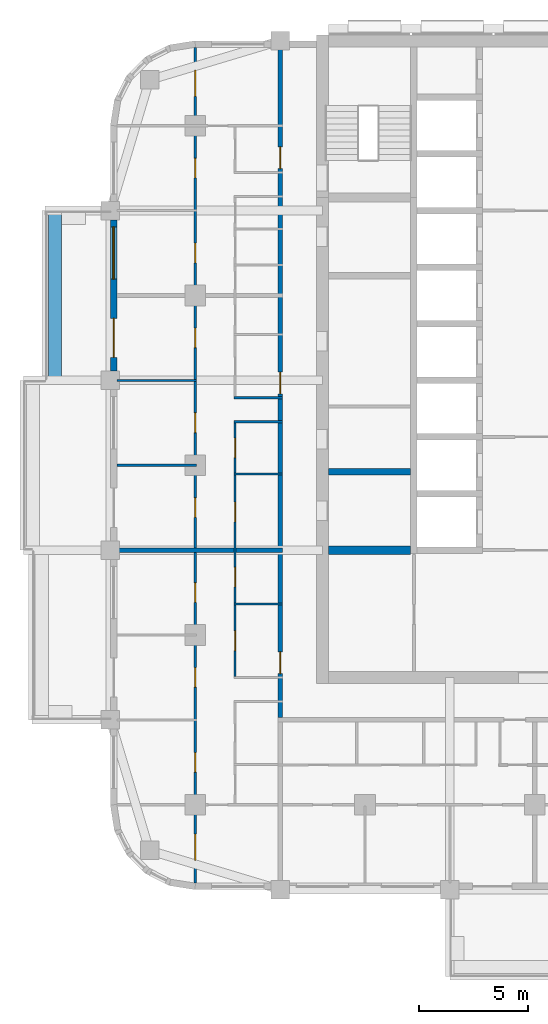
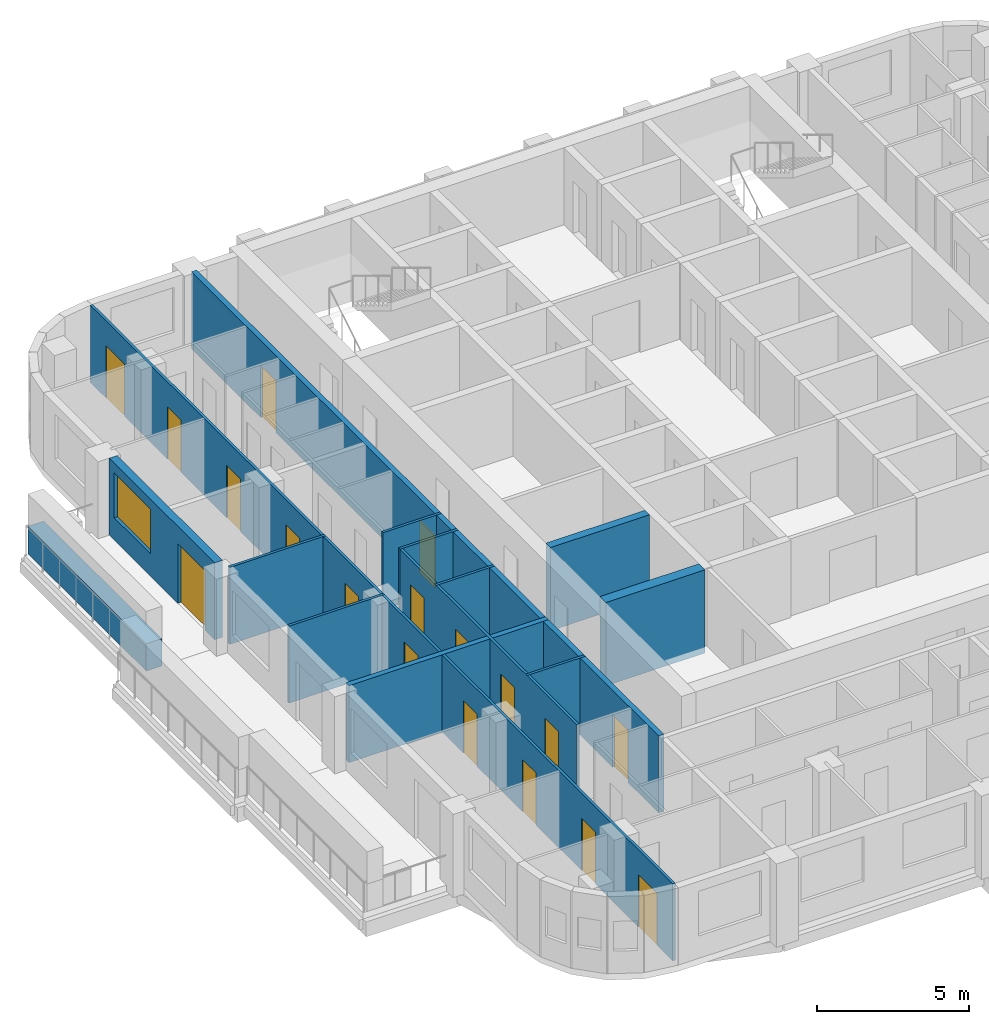
# One storey, part 4 of 14: 18 doors, 14 walls, 1 window, 19 openings.
"""IFC4 building model written with IfcOpenShell, lengths in metres."""

from ifc_helpers import new_model, si_unit, direction, frame, frame_2d, origin, place, context, subcontext, project, spatial, rectangle, extrude, material, layer, layer_set, type_object, element, fill, save


model = new_model("IFC4")

# Units and contexts
model_context = context("Model", 3, precision=1e-05, world=origin(), true_north=direction((0.0, 1.0)))
body_context = subcontext(model_context, "Body", "Model", "MODEL_VIEW")
ifc_project = project(units=[si_unit("LENGTHUNIT", "METRE"), si_unit("AREAUNIT", "SQUARE_METRE"), si_unit("VOLUMEUNIT", "CUBIC_METRE"), si_unit("PLANEANGLEUNIT", "RADIAN"), si_unit("MASSUNIT", "GRAM", prefix="KILO")], contexts=[model_context])

# Site, building, storey
site_placement = place(None, origin())
site = spatial("IfcSite", under=ifc_project, at=site_placement, CompositionType="ELEMENT")
building_placement = place(site_placement, origin())
building = spatial("IfcBuilding", under=site, at=building_placement, Name="Ludao Terraces", CompositionType="ELEMENT")
storey_placement = place(building_placement, frame((0.0, 0.0, 113.5)))
storey = spatial("IfcBuildingStorey", under=building, at=storey_placement, Name="L31", CompositionType="ELEMENT", Elevation=113.5)

# Wall
ifc_material_1 = material(Name="Concrete C40", Category="concrete")
ifc_layer_1 = layer(ifc_material_1, 0.60009765625)
ifc_layer_set_1 = layer_set([ifc_layer_1], Name="ENV Planter trough 600")
wall_type_1 = type_object("IfcWallType", Name="ENV Planter trough 600", PredefinedType="USERDEFINED", material=ifc_layer_set_1)
wall_1_placement = place(storey_placement, frame((62.949951171875, 68.89990234375, 0.0), z_axis=(0.0, 0.0, 1.0), x_axis=(0.0, 1.0, 0.0)))
element("IfcWall", 1, at=wall_1_placement, inside=storey, type_object=wall_type_1, Name="PL-L31-W3", ObjectType="PLANTER", PredefinedType="USERDEFINED", context=body_context, shape_type="SweptSolid", body=[
    extrude(rectangle(XDim=7.800048828125, YDim=0.60009765625, at=frame_2d((3.89990234375, 0.0))), origin(), (0.0, 0.0, 1.0), 1.10009765625),
])

# Wall, openings, door, window
ifc_material_2 = material(Name="Granite cladding", Category="masonry")
ifc_layer_2 = layer(ifc_material_2, 0.0400390625, Category="stone")
ifc_material_3 = material(Name="Mineral wool")
ifc_layer_3 = layer(ifc_material_3, 0.06005859375)
ifc_layer_4 = layer(ifc_material_1, 0.199951171875, Category="concrete")
ifc_layer_set_2 = layer_set([ifc_layer_2, ifc_layer_3, ifc_layer_4], Name="ENV Stone-clad wall 300")
wall_type_2 = type_object("IfcWallType", Name="ENV Stone-clad wall 300", PredefinedType="SOLIDWALL", material=ifc_layer_set_2)
wall_2_placement = place(storey_placement, frame((65.64990234375, 69.324951171875, 0.0), z_axis=(0.0, 0.0, 1.0), x_axis=(0.0, 1.0, 0.0)))
wall_2 = element("IfcWall", 2, at=wall_2_placement, inside=storey, type_object=wall_type_2, Name="EW-L31-W4", PredefinedType="SOLIDWALL", context=body_context, shape_type="SweptSolid", body=[
    extrude(rectangle(XDim=6.949951171875, YDim=0.300048828125, at=frame_2d((3.47509765625, 0.0))), origin(), (0.0, 0.0, 1.0), 3.10009765625),
])
opening_1_placement = place(wall_2_placement, frame((0.625, 0.0, 0.0)))
opening_1 = element("IfcOpeningElement", 3, at=opening_1_placement, cuts=wall_2, Name="Opening BD", PredefinedType="OPENING", context=body_context, shape_type="SweptSolid", body=[
    extrude(rectangle(XDim=1.800048828125, YDim=2.39990234375, at=frame_2d((0.89990234375, 1.199951171875))), frame((0.0, 0.16015625, 0.0), z_axis=(0.0, -1.0, 0.0), x_axis=(1.0, 0.0, 0.0)), (0.0, 0.0, 1.0), 0.320068359375),
])
opening_2_placement = place(wall_2_placement, frame((4.22509765625, 0.0, 0.89990234375)))
opening_2 = element("IfcOpeningElement", 4, at=opening_2_placement, cuts=wall_2, Name="Opening W1", PredefinedType="OPENING", context=body_context, shape_type="SweptSolid", body=[
    extrude(rectangle(XDim=2.39990234375, YDim=1.800048828125, at=frame_2d((1.199951171875, 0.89990234375))), frame((0.0, 0.16015625, 0.0), z_axis=(0.0, -1.0, 0.0), x_axis=(1.0, 0.0, 0.0)), (0.0, 0.0, 1.0), 0.320068359375),
])
ifc_material_4 = material(Name="Aluminium glazed door", Category="aluminium")
ifc_layer_5 = layer(ifc_material_4, 0.06005859375)
ifc_layer_set_3 = layer_set([ifc_layer_5], Name="ENV Balcony door BD 1800x2400")
door_type_1 = type_object("IfcDoorType", Name="ENV Balcony door BD 1800x2400", OperationType="DOUBLE_DOOR_SINGLE_SWING", PredefinedType="DOOR", material=ifc_layer_set_3)
door_1_placement = place(opening_1_placement, origin())
door_1 = element("IfcDoor", 5, at=door_1_placement, inside=storey, type_object=door_type_1, Name="BD-L31-W4-1", OperationType="DOUBLE_DOOR_SINGLE_SWING", OverallHeight=2.39990234375, OverallWidth=1.800048828125, PredefinedType="DOOR", context=body_context, shape_type="SweptSolid", body=[
    extrude(rectangle(XDim=1.800048828125, YDim=2.39990234375, at=frame_2d((0.89990234375, 1.199951171875))), frame((0.0, 0.02490234375, 0.0), z_axis=(0.0, -1.0, 0.0), x_axis=(1.0, 0.0, 0.0)), (0.0, 0.0, 1.0), 0.050048828125),
])
fill(opening_1, door_1)
ifc_material_5 = material(Name="Clear glass in aluminium frame", Category="aluminium")
ifc_layer_6 = layer(ifc_material_5, 0.06005859375)
ifc_layer_set_4 = layer_set([ifc_layer_6], Name="ENV Window W1 2400x1800")
window_type = type_object("IfcWindowType", Name="ENV Window W1 2400x1800", PartitioningType="DOUBLE_PANEL_VERTICAL", PredefinedType="WINDOW", material=ifc_layer_set_4)
window_placement = place(opening_2_placement, origin())
window = element("IfcWindow", 6, at=window_placement, inside=storey, type_object=window_type, Name="W-L31-W4-2", OverallHeight=1.800048828125, OverallWidth=2.39990234375, PartitioningType="DOUBLE_PANEL_VERTICAL", PredefinedType="WINDOW", context=body_context, shape_type="SweptSolid", body=[
    extrude(rectangle(XDim=2.39990234375, YDim=1.800048828125, at=frame_2d((1.199951171875, 0.89990234375))), frame((0.0, 0.030029296875, 0.0), z_axis=(0.0, -1.0, 0.0), x_axis=(1.0, 0.0, 0.0)), (0.0, 0.0, 1.0), 0.06005859375),
])
fill(opening_2, window)

# Wall, openings, doors
ifc_material_6 = material(Name="Autoclaved aerated concrete block B06 A3.5", Category="concrete")
ifc_layer_7 = layer(ifc_material_6, 0.199951171875)
ifc_layer_set_5 = layer_set([ifc_layer_7], Name="INT Entrance wall 200")
wall_type_3 = type_object("IfcWallType", Name="INT Entrance wall 200", PredefinedType="PARTITIONING", material=ifc_layer_set_5)
wall_3_placement = place(storey_placement, frame((73.300048828125, 53.400146484375, 0.0), z_axis=(0.0, 0.0, 1.0), x_axis=(0.0, 1.0, 0.0)))
wall_3 = element("IfcWall", 7, at=wall_3_placement, inside=storey, type_object=wall_type_3, Name="PW-L31-PW056", PredefinedType="PARTITIONING", context=body_context, shape_type="SweptSolid", body=[
    extrude(rectangle(XDim=30.800048828125, YDim=0.199951171875, at=frame_2d((15.39990234375, 0.0))), origin(), (0.0, 0.0, 1.0), 3.10009765625),
])
opening_3_placement = place(wall_3_placement, frame((2.02490234375, 0.0, 0.0)))
opening_3 = element("IfcOpeningElement", 8, at=opening_3_placement, cuts=wall_3, Name="Opening R09-030", PredefinedType="OPENING", context=body_context, shape_type="SweptSolid", body=[
    extrude(rectangle(XDim=1.0, YDim=2.10009765625, at=frame_2d((0.5, 1.050048828125))), frame((0.0, 0.10986328125, 0.0), z_axis=(0.0, -1.0, 0.0), x_axis=(1.0, 0.0, 0.0)), (0.0, 0.0, 1.0), 0.219970703125),
])
opening_4_placement = place(wall_3_placement, frame((14.875, 0.0, 0.0)))
opening_4 = element("IfcOpeningElement", 9, at=opening_4_placement, cuts=wall_3, Name="Opening R09-059", PredefinedType="OPENING", context=body_context, shape_type="SweptSolid", body=[
    extrude(rectangle(XDim=1.0, YDim=2.10009765625, at=frame_2d((0.5, 1.050048828125))), frame((0.0, 0.10986328125, 0.0), z_axis=(0.0, -1.0, 0.0), x_axis=(1.0, 0.0, 0.0)), (0.0, 0.0, 1.0), 0.219970703125),
])
opening_5_placement = place(wall_3_placement, frame((25.22509765625, 0.0, 0.0)))
opening_5 = element("IfcOpeningElement", 10, at=opening_5_placement, cuts=wall_3, Name="Opening R09-091", PredefinedType="OPENING", context=body_context, shape_type="SweptSolid", body=[
    extrude(rectangle(XDim=1.0, YDim=2.10009765625, at=frame_2d((0.5, 1.050048828125))), frame((0.0, 0.10986328125, 0.0), z_axis=(0.0, -1.0, 0.0), x_axis=(1.0, 0.0, 0.0)), (0.0, 0.0, 1.0), 0.219970703125),
])
ifc_material_7 = material(Name="Steel Q235", Category="steel")
door_type_2 = type_object("IfcDoorType", Name="INT Flat entrance door 1000", OperationType="SINGLE_SWING_LEFT", PredefinedType="DOOR", material=ifc_material_7)
door_2_placement = place(opening_3_placement, origin())
door_2 = element("IfcDoor", 11, at=door_2_placement, inside=storey, type_object=door_type_2, Name="DOOR 030", OperationType="SINGLE_SWING_RIGHT", OverallHeight=2.10009765625, OverallWidth=1.0, PredefinedType="DOOR", context=body_context, shape_type="SweptSolid", body=[
    extrude(rectangle(XDim=1.0, YDim=2.10009765625, at=frame_2d((0.5, 1.050048828125))), frame((0.0, 0.02490234375, 0.0), z_axis=(0.0, -1.0, 0.0), x_axis=(1.0, 0.0, 0.0)), (0.0, 0.0, 1.0), 0.050048828125),
])
fill(opening_3, door_2)
door_3_placement = place(opening_4_placement, origin())
door_3 = element("IfcDoor", 12, at=door_3_placement, inside=storey, type_object=door_type_2, Name="DOOR 059", OperationType="SINGLE_SWING_RIGHT", OverallHeight=2.10009765625, OverallWidth=1.0, PredefinedType="DOOR", context=body_context, shape_type="SweptSolid", body=[
    extrude(rectangle(XDim=1.0, YDim=2.10009765625, at=frame_2d((0.5, 1.050048828125))), frame((0.0, 0.02490234375, 0.0), z_axis=(0.0, -1.0, 0.0), x_axis=(1.0, 0.0, 0.0)), (0.0, 0.0, 1.0), 0.050048828125),
])
fill(opening_4, door_3)
door_4_placement = place(opening_5_placement, origin())
door_4 = element("IfcDoor", 13, at=door_4_placement, inside=storey, type_object=door_type_2, Name="DOOR 091", OperationType="SINGLE_SWING_RIGHT", OverallHeight=2.10009765625, OverallWidth=1.0, PredefinedType="DOOR", context=body_context, shape_type="SweptSolid", body=[
    extrude(rectangle(XDim=1.0, YDim=2.10009765625, at=frame_2d((0.5, 1.050048828125))), frame((0.0, 0.02490234375, 0.0), z_axis=(0.0, -1.0, 0.0), x_axis=(1.0, 0.0, 0.0)), (0.0, 0.0, 1.0), 0.050048828125),
])
fill(opening_5, door_4)

# Walls
ifc_material_8 = material(Name="Gypsum plasterboard", Category="gypsum")
ifc_layer_8 = layer(ifc_material_8, 0.012451171875, Category="gypsum")
ifc_layer_9 = layer(ifc_material_3, 0.06005859375, Name="insulation")
ifc_layer_10 = layer(ifc_material_7, 0.014892578125, Name="stud")
ifc_layer_11 = layer(ifc_material_8, 0.012451171875, Category="gypsum")
ifc_layer_set_6 = layer_set([ifc_layer_8, ifc_layer_9, ifc_layer_10, ifc_layer_11], Name="INT Partition 100")
wall_type_4 = type_object("IfcWallType", Name="INT Partition 100", PredefinedType="PARTITIONING", material=ifc_layer_set_6)
for number, where, z_axis, x_axis, name in (
    (14, (71.18017578125, 58.6201171875, 0.0), (0.0, 0.0, 1.0), (1.0, 0.0, 0.0), "PW-L31-PW015"),
    (15, (71.18017578125, 64.60009765625, 0.0), (0.0, 0.0, 1.0), (1.0, 0.0, 0.0), "PW-L31-PW021"),
):
    element("IfcWall", number, at=place(storey_placement, frame(where, z_axis=z_axis, x_axis=x_axis)), inside=storey, type_object=wall_type_4, Name=name, PredefinedType="PARTITIONING", context=body_context, shape_type="SweptSolid", body=[
        extrude(rectangle(XDim=2.219970703125, YDim=0.10009765625, at=frame_2d((1.10986328125, 0.0))), origin(), (0.0, 0.0, 1.0), 3.10009765625),
    ])
wall_4_placement = place(storey_placement, frame((65.800048828125, 65.0, 0.0), z_axis=(0.0, 0.0, 1.0), x_axis=(1.0, 0.0, 0.0)))
element("IfcWall", 16, at=wall_4_placement, inside=storey, type_object=wall_type_4, Name="PW-L31-PW022", PredefinedType="PARTITIONING", context=body_context, shape_type="SweptSolid", body=[
    extrude(rectangle(XDim=3.650146484375, YDim=0.10009765625, at=frame_2d((1.8251953125, 0.0))), origin(), (0.0, 0.0, 1.0), 3.10009765625),
])
for number, where, z_axis, x_axis, name in (
    (17, (71.18017578125, 67.0, 0.0), (0.0, 0.0, 1.0), (1.0, 0.0, 0.0), "PW-L31-PW026"),
    (18, (71.18017578125, 68.10009765625, 0.0), (0.0, 0.0, 1.0), (1.0, 0.0, 0.0), "PW-L31-PW030"),
):
    element("IfcWall", number, at=place(storey_placement, frame(where, z_axis=z_axis, x_axis=x_axis)), inside=storey, type_object=wall_type_4, Name=name, PredefinedType="PARTITIONING", context=body_context, shape_type="SweptSolid", body=[
        extrude(rectangle(XDim=2.219970703125, YDim=0.10009765625, at=frame_2d((1.10986328125, 0.0))), origin(), (0.0, 0.0, 1.0), 3.10009765625),
    ])
wall_5_placement = place(storey_placement, frame((65.800048828125, 68.89990234375, 0.0), z_axis=(0.0, 0.0, 1.0), x_axis=(1.0, 0.0, 0.0)))
element("IfcWall", 19, at=wall_5_placement, inside=storey, type_object=wall_type_4, Name="PW-L31-PW031", PredefinedType="PARTITIONING", context=body_context, shape_type="SweptSolid", body=[
    extrude(rectangle(XDim=3.650146484375, YDim=0.10009765625, at=frame_2d((1.8251953125, 0.0))), origin(), (0.0, 0.0, 1.0), 3.10009765625),
])

# Wall, openings, doors
wall_6_placement = place(storey_placement, frame((69.39990234375, 45.800048828125, 0.0), z_axis=(0.0, 0.0, 1.0), x_axis=(0.0, 1.0, 0.0)))
wall_6 = element("IfcWall", 20, at=wall_6_placement, inside=storey, type_object=wall_type_4, Name="PW-L31-PW050", PredefinedType="PARTITIONING", context=body_context, shape_type="SweptSolid", body=[
    extrude(rectangle(XDim=38.400146484375, YDim=0.10009765625, at=frame_2d((19.2001953125, 0.0))), origin(), (0.0, 0.0, 1.0), 3.10009765625),
])
opening_6_placement = place(wall_6_placement, frame((1.050048828125, 0.0, 0.0)))
opening_6 = element("IfcOpeningElement", 21, at=opening_6_placement, cuts=wall_6, Name="Opening R09-001", PredefinedType="OPENING", context=body_context, shape_type="SweptSolid", body=[
    extrude(rectangle(XDim=1.199951171875, YDim=2.10009765625, at=frame_2d((0.60009765625, 1.050048828125))), frame((0.0, 0.06005859375, 0.0), z_axis=(0.0, -1.0, 0.0), x_axis=(1.0, 0.0, 0.0)), (0.0, 0.0, 1.0), 0.1201171875),
])
opening_7_placement = place(wall_6_placement, frame((5.10009765625, 0.0, 0.0)))
opening_7 = element("IfcOpeningElement", 22, at=opening_7_placement, cuts=wall_6, Name="Opening R09-021", PredefinedType="OPENING", context=body_context, shape_type="SweptSolid", body=[
    extrude(rectangle(XDim=0.89990234375, YDim=2.10009765625, at=frame_2d((0.449951171875, 1.050048828125))), frame((0.0, 0.06005859375, 0.0), z_axis=(0.0, -1.0, 0.0), x_axis=(1.0, 0.0, 0.0)), (0.0, 0.0, 1.0), 0.1201171875),
])
opening_8_placement = place(wall_6_placement, frame((9.0, 0.0, 0.0)))
opening_8 = element("IfcOpeningElement", 23, at=opening_8_placement, cuts=wall_6, Name="Opening R09-028", PredefinedType="OPENING", context=body_context, shape_type="SweptSolid", body=[
    extrude(rectangle(XDim=0.89990234375, YDim=2.10009765625, at=frame_2d((0.449951171875, 1.050048828125))), frame((0.0, 0.06005859375, 0.0), z_axis=(0.0, -1.0, 0.0), x_axis=(1.0, 0.0, 0.0)), (0.0, 0.0, 1.0), 0.1201171875),
])
opening_9_placement = place(wall_6_placement, frame((12.89990234375, 0.0, 0.0)))
opening_9 = element("IfcOpeningElement", 24, at=opening_9_placement, cuts=wall_6, Name="Opening R09-038", PredefinedType="OPENING", context=body_context, shape_type="SweptSolid", body=[
    extrude(rectangle(XDim=0.89990234375, YDim=2.10009765625, at=frame_2d((0.449951171875, 1.050048828125))), frame((0.0, 0.06005859375, 0.0), z_axis=(0.0, -1.0, 0.0), x_axis=(1.0, 0.0, 0.0)), (0.0, 0.0, 1.0), 0.1201171875),
])
opening_10_placement = place(wall_6_placement, frame((16.800048828125, 0.0, 0.0)))
opening_10 = element("IfcOpeningElement", 25, at=opening_10_placement, cuts=wall_6, Name="Opening R09-046", PredefinedType="OPENING", context=body_context, shape_type="SweptSolid", body=[
    extrude(rectangle(XDim=0.89990234375, YDim=2.10009765625, at=frame_2d((0.449951171875, 1.050048828125))), frame((0.0, 0.06005859375, 0.0), z_axis=(0.0, -1.0, 0.0), x_axis=(1.0, 0.0, 0.0)), (0.0, 0.0, 1.0), 0.1201171875),
])
opening_11_placement = place(wall_6_placement, frame((20.699951171875, 0.0, 0.0)))
opening_11 = element("IfcOpeningElement", 26, at=opening_11_placement, cuts=wall_6, Name="Opening R09-055", PredefinedType="OPENING", context=body_context, shape_type="SweptSolid", body=[
    extrude(rectangle(XDim=0.89990234375, YDim=2.10009765625, at=frame_2d((0.449951171875, 1.050048828125))), frame((0.0, 0.06005859375, 0.0), z_axis=(0.0, -1.0, 0.0), x_axis=(1.0, 0.0, 0.0)), (0.0, 0.0, 1.0), 0.1201171875),
])
opening_12_placement = place(wall_6_placement, frame((24.60009765625, 0.0, 0.0)))
opening_12 = element("IfcOpeningElement", 27, at=opening_12_placement, cuts=wall_6, Name="Opening R09-065", PredefinedType="OPENING", context=body_context, shape_type="SweptSolid", body=[
    extrude(rectangle(XDim=0.89990234375, YDim=2.10009765625, at=frame_2d((0.449951171875, 1.050048828125))), frame((0.0, 0.06005859375, 0.0), z_axis=(0.0, -1.0, 0.0), x_axis=(1.0, 0.0, 0.0)), (0.0, 0.0, 1.0), 0.1201171875),
])
opening_13_placement = place(wall_6_placement, frame((28.5, 0.0, 0.0)))
opening_13 = element("IfcOpeningElement", 28, at=opening_13_placement, cuts=wall_6, Name="Opening R09-074", PredefinedType="OPENING", context=body_context, shape_type="SweptSolid", body=[
    extrude(rectangle(XDim=0.89990234375, YDim=2.10009765625, at=frame_2d((0.449951171875, 1.050048828125))), frame((0.0, 0.06005859375, 0.0), z_axis=(0.0, -1.0, 0.0), x_axis=(1.0, 0.0, 0.0)), (0.0, 0.0, 1.0), 0.1201171875),
])
opening_14_placement = place(wall_6_placement, frame((32.39990234375, 0.0, 0.0)))
opening_14 = element("IfcOpeningElement", 29, at=opening_14_placement, cuts=wall_6, Name="Opening R09-089", PredefinedType="OPENING", context=body_context, shape_type="SweptSolid", body=[
    extrude(rectangle(XDim=0.89990234375, YDim=2.10009765625, at=frame_2d((0.449951171875, 1.050048828125))), frame((0.0, 0.06005859375, 0.0), z_axis=(0.0, -1.0, 0.0), x_axis=(1.0, 0.0, 0.0)), (0.0, 0.0, 1.0), 0.1201171875),
])
opening_15_placement = place(wall_6_placement, frame((36.14990234375, 0.0, 0.0)))
opening_15 = element("IfcOpeningElement", 30, at=opening_15_placement, cuts=wall_6, Name="Opening R09-098", PredefinedType="OPENING", context=body_context, shape_type="SweptSolid", body=[
    extrude(rectangle(XDim=1.199951171875, YDim=2.10009765625, at=frame_2d((0.60009765625, 1.050048828125))), frame((0.0, 0.06005859375, 0.0), z_axis=(0.0, -1.0, 0.0), x_axis=(1.0, 0.0, 0.0)), (0.0, 0.0, 1.0), 0.1201171875),
])
ifc_material_9 = material(Name="Timber door leaf", Category="wood")
door_type_3 = type_object("IfcDoorType", Name="INT Double door 1200", OperationType="DOUBLE_DOOR_SINGLE_SWING", PredefinedType="DOOR", material=ifc_material_9)
door_5_placement = place(opening_6_placement, origin())
door_5 = element("IfcDoor", 31, at=door_5_placement, inside=storey, type_object=door_type_3, Name="DOOR 001", OperationType="DOUBLE_DOOR_SINGLE_SWING", OverallHeight=2.10009765625, OverallWidth=1.199951171875, PredefinedType="DOOR", context=body_context, shape_type="SweptSolid", body=[
    extrude(rectangle(XDim=1.199951171875, YDim=2.10009765625, at=frame_2d((0.60009765625, 1.050048828125))), frame((0.0, 0.02490234375, 0.0), z_axis=(0.0, -1.0, 0.0), x_axis=(1.0, 0.0, 0.0)), (0.0, 0.0, 1.0), 0.050048828125),
])
fill(opening_6, door_5)
door_6_placement = place(opening_15_placement, origin())
door_6 = element("IfcDoor", 32, at=door_6_placement, inside=storey, type_object=door_type_3, Name="DOOR 098", OperationType="DOUBLE_DOOR_SINGLE_SWING", OverallHeight=2.10009765625, OverallWidth=1.199951171875, PredefinedType="DOOR", context=body_context, shape_type="SweptSolid", body=[
    extrude(rectangle(XDim=1.199951171875, YDim=2.10009765625, at=frame_2d((0.60009765625, 1.050048828125))), frame((0.0, 0.02490234375, 0.0), z_axis=(0.0, -1.0, 0.0), x_axis=(1.0, 0.0, 0.0)), (0.0, 0.0, 1.0), 0.050048828125),
])
fill(opening_15, door_6)
door_type_4 = type_object("IfcDoorType", Name="INT Room door 900", OperationType="SINGLE_SWING_LEFT", PredefinedType="DOOR", material=ifc_material_9)
door_7_placement = place(opening_7_placement, origin())
door_7 = element("IfcDoor", 33, at=door_7_placement, inside=storey, type_object=door_type_4, Name="DOOR 021", OperationType="SINGLE_SWING_LEFT", OverallHeight=2.10009765625, OverallWidth=0.89990234375, PredefinedType="DOOR", context=body_context, shape_type="SweptSolid", body=[
    extrude(rectangle(XDim=0.89990234375, YDim=2.10009765625, at=frame_2d((0.449951171875, 1.050048828125))), frame((0.0, 0.02490234375, 0.0), z_axis=(0.0, -1.0, 0.0), x_axis=(1.0, 0.0, 0.0)), (0.0, 0.0, 1.0), 0.050048828125),
])
fill(opening_7, door_7)
door_8_placement = place(opening_8_placement, origin())
door_8 = element("IfcDoor", 34, at=door_8_placement, inside=storey, type_object=door_type_4, Name="DOOR 028", OperationType="SINGLE_SWING_LEFT", OverallHeight=2.10009765625, OverallWidth=0.89990234375, PredefinedType="DOOR", context=body_context, shape_type="SweptSolid", body=[
    extrude(rectangle(XDim=0.89990234375, YDim=2.10009765625, at=frame_2d((0.449951171875, 1.050048828125))), frame((0.0, 0.02490234375, 0.0), z_axis=(0.0, -1.0, 0.0), x_axis=(1.0, 0.0, 0.0)), (0.0, 0.0, 1.0), 0.050048828125),
])
fill(opening_8, door_8)
door_9_placement = place(opening_9_placement, origin())
door_9 = element("IfcDoor", 35, at=door_9_placement, inside=storey, type_object=door_type_4, Name="DOOR 038", OperationType="SINGLE_SWING_LEFT", OverallHeight=2.10009765625, OverallWidth=0.89990234375, PredefinedType="DOOR", context=body_context, shape_type="SweptSolid", body=[
    extrude(rectangle(XDim=0.89990234375, YDim=2.10009765625, at=frame_2d((0.449951171875, 1.050048828125))), frame((0.0, 0.02490234375, 0.0), z_axis=(0.0, -1.0, 0.0), x_axis=(1.0, 0.0, 0.0)), (0.0, 0.0, 1.0), 0.050048828125),
])
fill(opening_9, door_9)
door_10_placement = place(opening_10_placement, origin())
door_10 = element("IfcDoor", 36, at=door_10_placement, inside=storey, type_object=door_type_4, Name="DOOR 046", OperationType="SINGLE_SWING_RIGHT", OverallHeight=2.10009765625, OverallWidth=0.89990234375, PredefinedType="DOOR", context=body_context, shape_type="SweptSolid", body=[
    extrude(rectangle(XDim=0.89990234375, YDim=2.10009765625, at=frame_2d((0.449951171875, 1.050048828125))), frame((0.0, 0.02490234375, 0.0), z_axis=(0.0, -1.0, 0.0), x_axis=(1.0, 0.0, 0.0)), (0.0, 0.0, 1.0), 0.050048828125),
])
fill(opening_10, door_10)
door_11_placement = place(opening_11_placement, origin())
door_11 = element("IfcDoor", 37, at=door_11_placement, inside=storey, type_object=door_type_4, Name="DOOR 055", OperationType="SINGLE_SWING_RIGHT", OverallHeight=2.10009765625, OverallWidth=0.89990234375, PredefinedType="DOOR", context=body_context, shape_type="SweptSolid", body=[
    extrude(rectangle(XDim=0.89990234375, YDim=2.10009765625, at=frame_2d((0.449951171875, 1.050048828125))), frame((0.0, 0.02490234375, 0.0), z_axis=(0.0, -1.0, 0.0), x_axis=(1.0, 0.0, 0.0)), (0.0, 0.0, 1.0), 0.050048828125),
])
fill(opening_11, door_11)
door_12_placement = place(opening_12_placement, origin())
door_12 = element("IfcDoor", 38, at=door_12_placement, inside=storey, type_object=door_type_4, Name="DOOR 065", OperationType="SINGLE_SWING_LEFT", OverallHeight=2.10009765625, OverallWidth=0.89990234375, PredefinedType="DOOR", context=body_context, shape_type="SweptSolid", body=[
    extrude(rectangle(XDim=0.89990234375, YDim=2.10009765625, at=frame_2d((0.449951171875, 1.050048828125))), frame((0.0, 0.02490234375, 0.0), z_axis=(0.0, -1.0, 0.0), x_axis=(1.0, 0.0, 0.0)), (0.0, 0.0, 1.0), 0.050048828125),
])
fill(opening_12, door_12)
door_13_placement = place(opening_13_placement, origin())
door_13 = element("IfcDoor", 39, at=door_13_placement, inside=storey, type_object=door_type_4, Name="DOOR 074", OperationType="SINGLE_SWING_LEFT", OverallHeight=2.10009765625, OverallWidth=0.89990234375, PredefinedType="DOOR", context=body_context, shape_type="SweptSolid", body=[
    extrude(rectangle(XDim=0.89990234375, YDim=2.10009765625, at=frame_2d((0.449951171875, 1.050048828125))), frame((0.0, 0.02490234375, 0.0), z_axis=(0.0, -1.0, 0.0), x_axis=(1.0, 0.0, 0.0)), (0.0, 0.0, 1.0), 0.050048828125),
])
fill(opening_13, door_13)
door_14_placement = place(opening_14_placement, origin())
door_14 = element("IfcDoor", 40, at=door_14_placement, inside=storey, type_object=door_type_4, Name="DOOR 089", OperationType="SINGLE_SWING_LEFT", OverallHeight=2.10009765625, OverallWidth=0.89990234375, PredefinedType="DOOR", context=body_context, shape_type="SweptSolid", body=[
    extrude(rectangle(XDim=0.89990234375, YDim=2.10009765625, at=frame_2d((0.449951171875, 1.050048828125))), frame((0.0, 0.02490234375, 0.0), z_axis=(0.0, -1.0, 0.0), x_axis=(1.0, 0.0, 0.0)), (0.0, 0.0, 1.0), 0.050048828125),
])
fill(opening_14, door_14)

wall_7_placement = place(storey_placement, frame((71.22998046875, 55.300048828125, 0.0), z_axis=(0.0, 0.0, 1.0), x_axis=(0.0, 1.0, 0.0)))
wall_7 = element("IfcWall", 41, at=wall_7_placement, inside=storey, type_object=wall_type_4, Name="PW-L31-PW052", PredefinedType="PARTITIONING", context=body_context, shape_type="SweptSolid", body=[
    extrude(rectangle(XDim=11.650146484375, YDim=0.10009765625, at=frame_2d((5.8251953125, 0.0))), origin(), (0.0, 0.0, 1.0), 3.10009765625),
])
opening_16_placement = place(wall_7_placement, frame((1.18505859375, 0.0, 0.0)))
opening_16 = element("IfcOpeningElement", 42, at=opening_16_placement, cuts=wall_7, Name="Opening R09-035", PredefinedType="OPENING", context=body_context, shape_type="SweptSolid", body=[
    extrude(rectangle(XDim=0.89990234375, YDim=2.10009765625, at=frame_2d((0.449951171875, 1.050048828125))), frame((0.0, 0.06005859375, 0.0), z_axis=(0.0, -1.0, 0.0), x_axis=(1.0, 0.0, 0.0)), (0.0, 0.0, 1.0), 0.1201171875),
])
opening_17_placement = place(wall_7_placement, frame((4.110107421875, 0.0, 0.0)))
opening_17 = element("IfcOpeningElement", 43, at=opening_17_placement, cuts=wall_7, Name="Opening R09-039", PredefinedType="OPENING", context=body_context, shape_type="SweptSolid", body=[
    extrude(rectangle(XDim=0.89990234375, YDim=2.10009765625, at=frame_2d((0.449951171875, 1.050048828125))), frame((0.0, 0.06005859375, 0.0), z_axis=(0.0, -1.0, 0.0), x_axis=(1.0, 0.0, 0.0)), (0.0, 0.0, 1.0), 0.1201171875),
])
opening_18_placement = place(wall_7_placement, frame((7.10009765625, 0.0, 0.0)))
opening_18 = element("IfcOpeningElement", 44, at=opening_18_placement, cuts=wall_7, Name="Opening R09-044", PredefinedType="OPENING", context=body_context, shape_type="SweptSolid", body=[
    extrude(rectangle(XDim=0.89990234375, YDim=2.10009765625, at=frame_2d((0.449951171875, 1.050048828125))), frame((0.0, 0.06005859375, 0.0), z_axis=(0.0, -1.0, 0.0), x_axis=(1.0, 0.0, 0.0)), (0.0, 0.0, 1.0), 0.1201171875),
])
opening_19_placement = place(wall_7_placement, frame((10.050048828125, 0.0, 0.0)))
opening_19 = element("IfcOpeningElement", 45, at=opening_19_placement, cuts=wall_7, Name="Opening R09-051", PredefinedType="OPENING", context=body_context, shape_type="SweptSolid", body=[
    extrude(rectangle(XDim=0.89990234375, YDim=2.10009765625, at=frame_2d((0.449951171875, 1.050048828125))), frame((0.0, 0.06005859375, 0.0), z_axis=(0.0, -1.0, 0.0), x_axis=(1.0, 0.0, 0.0)), (0.0, 0.0, 1.0), 0.1201171875),
])
door_type_5 = type_object("IfcDoorType", Name="INT Bathroom door 900", OperationType="SINGLE_SWING_LEFT", PredefinedType="DOOR", material=ifc_material_9)
door_15_placement = place(opening_17_placement, origin())
door_15 = element("IfcDoor", 46, at=door_15_placement, inside=storey, type_object=door_type_5, Name="DOOR 039", OperationType="SINGLE_SWING_LEFT", OverallHeight=2.10009765625, OverallWidth=0.89990234375, PredefinedType="DOOR", context=body_context, shape_type="SweptSolid", body=[
    extrude(rectangle(XDim=0.89990234375, YDim=2.10009765625, at=frame_2d((0.449951171875, 1.050048828125))), frame((0.0, 0.02490234375, 0.0), z_axis=(0.0, -1.0, 0.0), x_axis=(1.0, 0.0, 0.0)), (0.0, 0.0, 1.0), 0.050048828125),
])
fill(opening_17, door_15)
door_16_placement = place(opening_19_placement, origin())
door_16 = element("IfcDoor", 47, at=door_16_placement, inside=storey, type_object=door_type_5, Name="DOOR 051", OperationType="SINGLE_SWING_RIGHT", OverallHeight=2.10009765625, OverallWidth=0.89990234375, PredefinedType="DOOR", context=body_context, shape_type="SweptSolid", body=[
    extrude(rectangle(XDim=0.89990234375, YDim=2.10009765625, at=frame_2d((0.449951171875, 1.050048828125))), frame((0.0, 0.02490234375, 0.0), z_axis=(0.0, -1.0, 0.0), x_axis=(1.0, 0.0, 0.0)), (0.0, 0.0, 1.0), 0.050048828125),
])
fill(opening_19, door_16)
door_17_placement = place(opening_16_placement, origin())
door_17 = element("IfcDoor", 48, at=door_17_placement, inside=storey, type_object=door_type_4, Name="DOOR 035", OperationType="SINGLE_SWING_LEFT", OverallHeight=2.10009765625, OverallWidth=0.89990234375, PredefinedType="DOOR", context=body_context, shape_type="SweptSolid", body=[
    extrude(rectangle(XDim=0.89990234375, YDim=2.10009765625, at=frame_2d((0.449951171875, 1.050048828125))), frame((0.0, 0.02490234375, 0.0), z_axis=(0.0, -1.0, 0.0), x_axis=(1.0, 0.0, 0.0)), (0.0, 0.0, 1.0), 0.050048828125),
])
fill(opening_16, door_17)
door_18_placement = place(opening_18_placement, origin())
door_18 = element("IfcDoor", 49, at=door_18_placement, inside=storey, type_object=door_type_4, Name="DOOR 044", OperationType="SINGLE_SWING_RIGHT", OverallHeight=2.10009765625, OverallWidth=0.89990234375, PredefinedType="DOOR", context=body_context, shape_type="SweptSolid", body=[
    extrude(rectangle(XDim=0.89990234375, YDim=2.10009765625, at=frame_2d((0.449951171875, 1.050048828125))), frame((0.0, 0.02490234375, 0.0), z_axis=(0.0, -1.0, 0.0), x_axis=(1.0, 0.0, 0.0)), (0.0, 0.0, 1.0), 0.050048828125),
])
fill(opening_18, door_18)

# Walls
ifc_layer_12 = layer(ifc_material_6, 0.199951171875)
ifc_layer_set_7 = layer_set([ifc_layer_12], Name="INT Party wall 200")
wall_type_5 = type_object("IfcWallType", Name="INT Party wall 200", PredefinedType="PARTITIONING", material=ifc_layer_set_7)
wall_8_placement = place(storey_placement, frame((65.800048828125, 61.10009765625, 0.0), z_axis=(0.0, 0.0, 1.0), x_axis=(1.0, 0.0, 0.0)))
element("IfcWall", 50, at=wall_8_placement, inside=storey, type_object=wall_type_5, Name="PW-L31-PW017", PredefinedType="PARTITIONING", context=body_context, shape_type="SweptSolid", body=[
    extrude(rectangle(XDim=7.60009765625, YDim=0.199951171875, at=frame_2d((3.800048828125, 0.0))), origin(), (0.0, 0.0, 1.0), 3.10009765625),
])
ifc_material_10 = material(Name="Concrete C55", Category="concrete")
ifc_layer_13 = layer(ifc_material_10, 0.300048828125)
ifc_layer_set_8 = layer_set([ifc_layer_13], Name="Shaft wall 300 C55")
wall_type_6 = type_object("IfcWallType", Name="Shaft wall 300 C55", PredefinedType="SOLIDWALL", material=ifc_layer_set_8)
wall_9_placement = place(storey_placement, frame((75.52490234375, 64.699951171875, -0.25), z_axis=(0.0, 0.0, 1.0), x_axis=(1.0, 0.0, 0.0)))
element("IfcWall", 51, at=wall_9_placement, inside=storey, type_object=wall_type_6, Name="Core wall L31 riser-a-W", PredefinedType="SOLIDWALL", context=body_context, shape_type="SweptSolid", body=[
    extrude(rectangle(XDim=3.775146484375, YDim=0.300048828125, at=frame_2d((1.8876953125, 0.0))), origin(), (0.0, 0.0, 1.0), 3.35009765625),
])
ifc_layer_14 = layer(ifc_material_10, 0.39990234375)
ifc_layer_set_9 = layer_set([ifc_layer_14], Name="Shaft wall 400 C55")
wall_type_7 = type_object("IfcWallType", Name="Shaft wall 400 C55", PredefinedType="SOLIDWALL", material=ifc_layer_set_9)
wall_10_placement = place(storey_placement, frame((75.52490234375, 61.10009765625, -0.25), z_axis=(0.0, 0.0, 1.0), x_axis=(1.0, 0.0, 0.0)))
element("IfcWall", 52, at=wall_10_placement, inside=storey, type_object=wall_type_7, Name="Core wall L31 hall-W", PredefinedType="SOLIDWALL", context=body_context, shape_type="SweptSolid", body=[
    extrude(rectangle(XDim=3.775146484375, YDim=0.39990234375, at=frame_2d((1.8876953125, 0.0))), origin(), (0.0, 0.0, 1.0), 3.35009765625),
])

save(model, "model.ifc")
